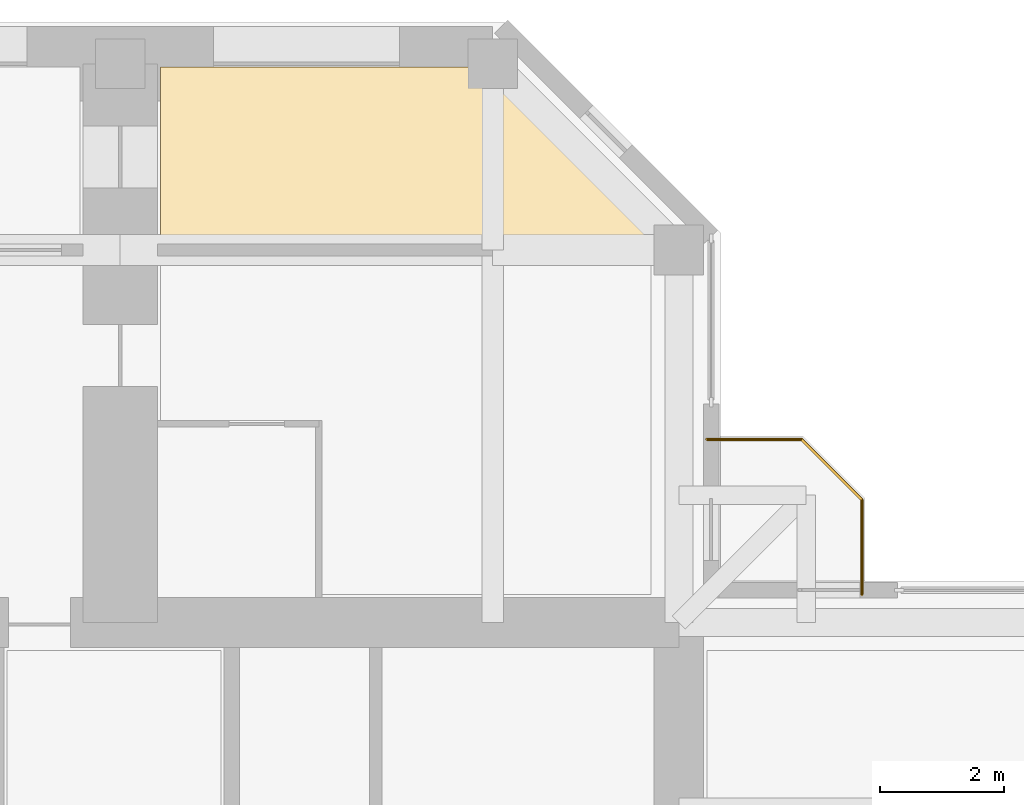
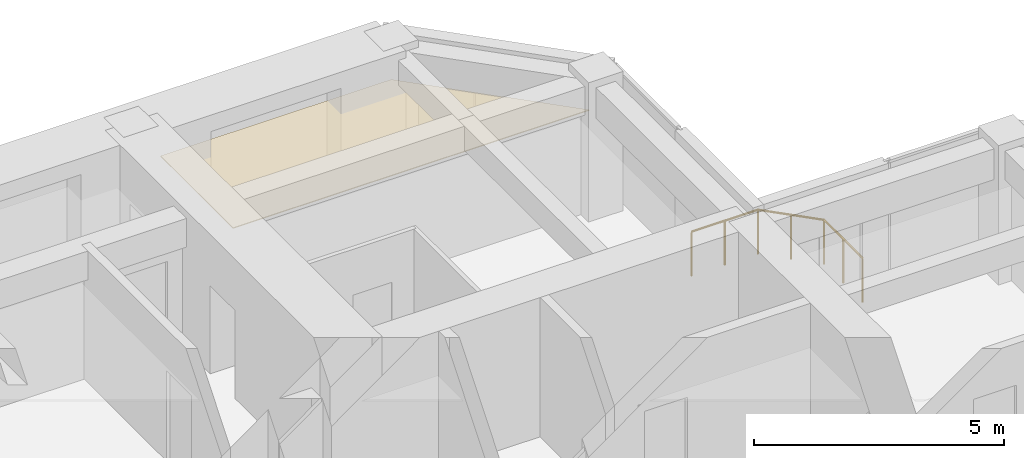
# One storey, part 14 of 14: 1 covering, 1 railing.
"""IFC4 building model written with IfcOpenShell, lengths in metres."""

from ifc_helpers import new_model, si_unit, direction, frame, origin, origin_2d, place, context, subcontext, project, spatial, polyline, circle, outline, extrude, material, layer, layer_set, constituent, constituent_set, type_object, element, save


model = new_model("IFC4")

# Units and contexts
model_context = context("Model", 3, precision=1e-05, world=origin(), true_north=direction((0.0, 1.0)))
body_context = subcontext(model_context, "Body", "Model", "MODEL_VIEW")
ifc_project = project(units=[si_unit("LENGTHUNIT", "METRE"), si_unit("AREAUNIT", "SQUARE_METRE"), si_unit("VOLUMEUNIT", "CUBIC_METRE"), si_unit("PLANEANGLEUNIT", "RADIAN"), si_unit("MASSUNIT", "GRAM", prefix="KILO")], contexts=[model_context])

# Site, building, storey
site_placement = place(None, origin())
site = spatial("IfcSite", under=ifc_project, at=site_placement, CompositionType="ELEMENT")
building_placement = place(site_placement, origin())
building = spatial("IfcBuilding", under=site, at=building_placement, Name="Torre Cruceta", CompositionType="ELEMENT")
storey_placement = place(building_placement, frame((0.0, 0.0, 222.10009765625)))
storey = spatial("IfcBuildingStorey", under=building, at=storey_placement, Name="L56", CompositionType="ELEMENT", Elevation=222.10009765625)

# Railing
ifc_material_1 = material(Name="Stainless steel 1.4401", Category="steel")
ifc_constituent_1 = constituent(ifc_material_1, Name="Frame")
ifc_material_2 = material(Name="Laminated safety glass", Category="glass")
ifc_constituent_2 = constituent(ifc_material_2, Name="Infill")
ifc_constituent_set = constituent_set(constituents=[ifc_constituent_1, ifc_constituent_2], Name="Stainless steel and laminated glass balustrade")
railing_type = type_object("IfcRailingType", Name="BALCONY BALUSTRADE 1100", PredefinedType="BALUSTRADE", material=ifc_constituent_set)
railing_placement = place(storey_placement, frame((9.449951171875, 11.949951171875, 0.0)))
element("IfcRailing", 1, at=railing_placement, inside=storey, type_object=railing_type, Name="BL1 balcony balustrade L56 E", PredefinedType="BALUSTRADE", context=body_context, shape_type="SweptSolid", body=[
    extrude(circle(Radius=0.02392578125, at=origin_2d()), frame((0.0, 0.0, 1.076171875), z_axis=(1.0, 0.0, 0.0), x_axis=(0.0, 1.0, 0.0)), (0.0, 0.0, 1.0), 1.529296875),
    extrude(circle(Radius=0.02392578125, at=origin_2d()), frame((1.529296875, 0.0, 1.076171875), z_axis=(0.707106781187, -0.707106781187, 0.0), x_axis=(0.707106781187, 0.707106781187, 0.0)), (0.0, 0.0, 1.0), 1.372802734375),
    extrude(circle(Radius=0.02392578125, at=origin_2d()), frame((2.5, -0.970703125, 1.076171875), z_axis=(0.0, -1.0, 0.0), x_axis=(1.0, 0.0, 0.0)), (0.0, 0.0, 1.0), 1.529296875),
    extrude(circle(Radius=0.02099609375, at=origin_2d()), origin(), (0.0, 0.0, 1.0), 1.052001953125),
    extrude(circle(Radius=0.02099609375, at=origin_2d()), frame((0.7646484375, 0.0, 0.0)), (0.0, 0.0, 1.0), 1.052001953125),
    extrude(circle(Radius=0.02099609375, at=origin_2d()), frame((1.529296875, 0.0, 0.0)), (0.0, 0.0, 1.0), 1.052001953125),
    extrude(circle(Radius=0.02099609375, at=origin_2d()), frame((2.0146484375, -0.4853515625, 0.0)), (0.0, 0.0, 1.0), 1.052001953125),
    extrude(circle(Radius=0.02099609375, at=origin_2d()), frame((2.5, -0.970703125, 0.0)), (0.0, 0.0, 1.0), 1.052001953125),
    extrude(circle(Radius=0.02099609375, at=origin_2d()), frame((2.5, -1.7353515625, 0.0)), (0.0, 0.0, 1.0), 1.052001953125),
    extrude(circle(Radius=0.02099609375, at=origin_2d()), frame((2.5, -2.5, 0.0)), (0.0, 0.0, 1.0), 1.052001953125),
])

# Covering
ifc_material_3 = material(Name="Mineral fibre ceiling tile", Category="gypsum")
ifc_layer = layer(ifc_material_3, 0.02001953125)
ifc_layer_set = layer_set([ifc_layer], Name="Mineral fibre ceiling tile")
covering_type = type_object("IfcCoveringType", Name="SUSPENDED CEILING 20", PredefinedType="CEILING", material=ifc_layer_set)
covering_placement = place(storey_placement, frame((0.0, 0.0, 2.349853515625)))
element("IfcCovering", 2, at=covering_placement, inside=storey, type_object=covering_type, Name="Ceiling L56-029", PredefinedType="CEILING", context=body_context, shape_type="SweptSolid", body=[
    extrude(outline(polyline([(8.87939453125, 15.050048828125), (0.64990234375, 15.050048828125), (0.64990234375, 17.949951171875), (5.979248046875, 17.949951171875), (8.87939453125, 15.050048828125)])), origin(), (0.0, 0.0, 1.0), 0.02001953125),
])

save(model, "model.ifc")
